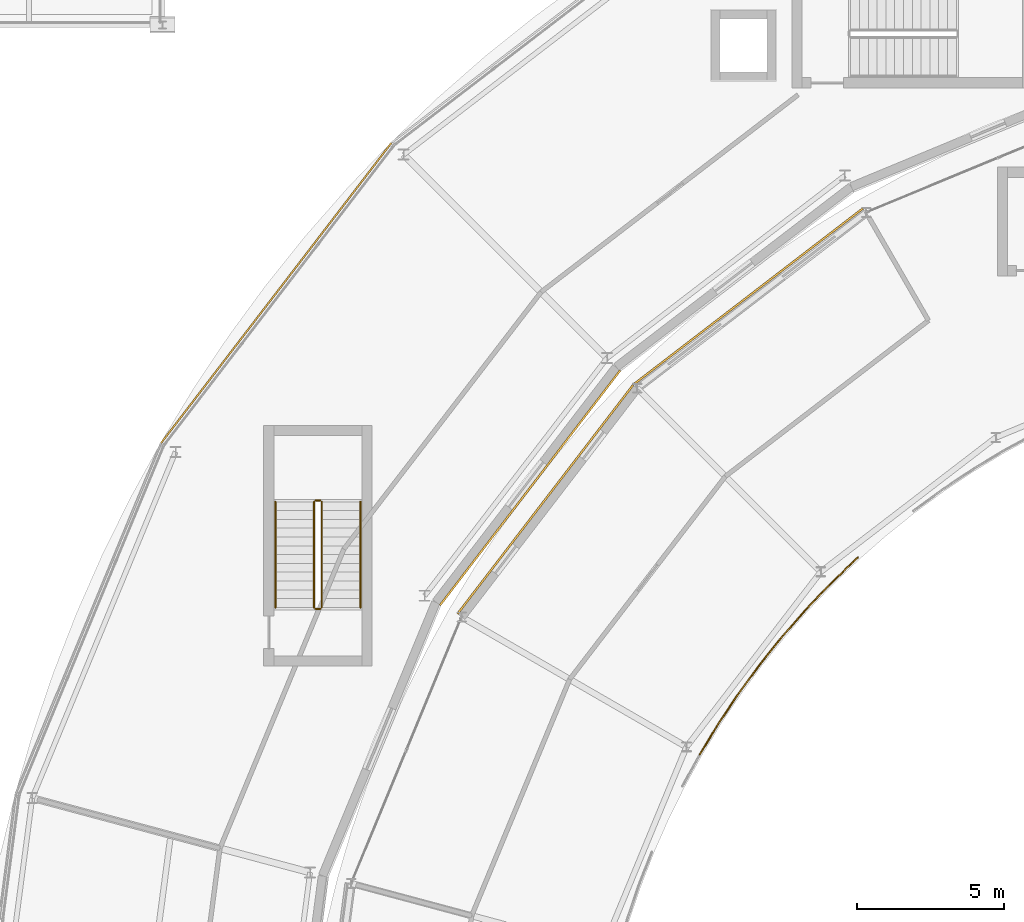
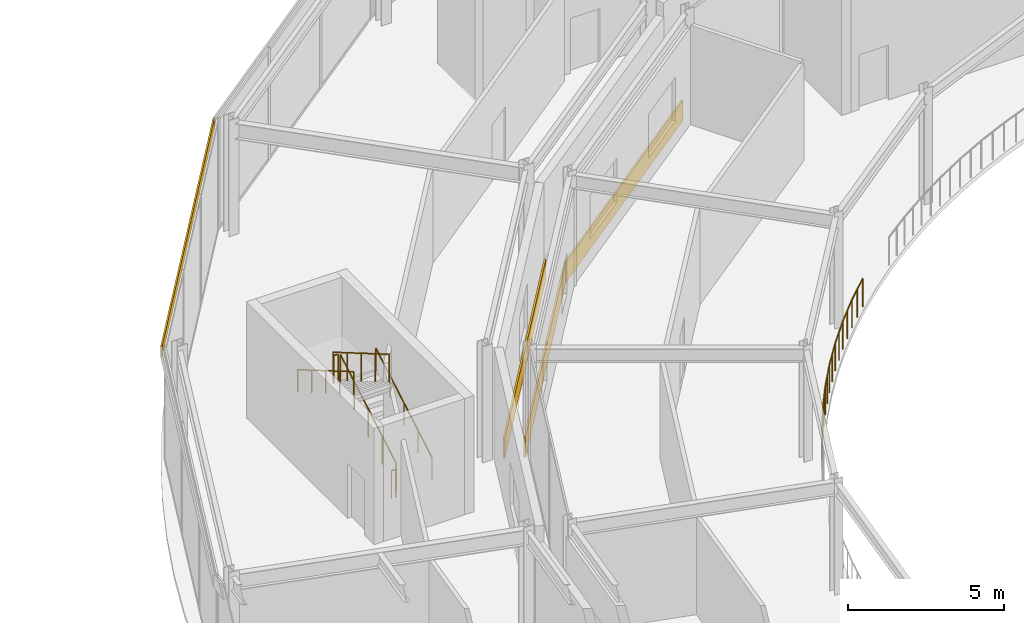
# One storey, part 144 of 157: 13 railings, 4 coverings.
"""IFC4 building model written with IfcOpenShell, lengths in metres."""

from ifc_helpers import new_model, si_unit, direction, frame, origin, origin_2d, place, context, subcontext, project, spatial, rectangle, circle, extrude, material, layer, layer_set, type_object, element, save


model = new_model("IFC4")

# Units and contexts
model_context = context("Model", 3, precision=1e-05, world=origin(), true_north=direction((0.0, 1.0)))
body_context = subcontext(model_context, "Body", "Model", "MODEL_VIEW")
ifc_project = project(units=[si_unit("LENGTHUNIT", "METRE"), si_unit("AREAUNIT", "SQUARE_METRE"), si_unit("VOLUMEUNIT", "CUBIC_METRE"), si_unit("PLANEANGLEUNIT", "RADIAN"), si_unit("MASSUNIT", "GRAM", prefix="KILO")], contexts=[model_context])

# Site, building, storey
site_placement = place(None, origin())
site = spatial("IfcSite", under=ifc_project, at=site_placement, CompositionType="ELEMENT")
building_placement = place(site_placement, origin())
building = spatial("IfcBuilding", under=site, at=building_placement, Name="Almandine Court Research Institute", CompositionType="ELEMENT")
storey_placement = place(building_placement, frame((0.0, 0.0, 5.25)))
storey = spatial("IfcBuildingStorey", under=building, at=storey_placement, Name="L01", CompositionType="ELEMENT", Elevation=5.25)

# Coverings
ifc_material_1 = material(Name="Honed Andean Red-Buff Sandstone Cladding", Category="masonry")
ifc_layer_1 = layer(ifc_material_1, 0.06494140625)
ifc_layer_set_1 = layer_set([ifc_layer_1], Name="Honed Andean Red-Buff Sandstone Cladding")
covering_type_1 = type_object("IfcCoveringType", Name="Cov-CLAD-SAND", PredefinedType="CLADDING", material=ifc_layer_set_1)
covering_1_placement = place(storey_placement, frame((56.72998046875, 79.22705078125, 0.02001953125), z_axis=(0.0, 0.0, 1.0), x_axis=(-0.608761429009, -0.793353340291, 0.0)))
element("IfcCovering", 1, at=covering_1_placement, inside=storey, type_object=covering_type_1, Name="L01 Facade Spandrel Cladding Band 321", PredefinedType="CLADDING", context=body_context, shape_type="SweptSolid", body=[
    extrude(rectangle(XDim=10.080078125, YDim=0.06494140625, at=origin_2d()), origin(), (0.0, 0.0, 1.0), 0.800048828125),
])
for number, where, z_axis, x_axis, name in (
    (2, (64.169921875, 85.7529296875, 0.02001953125), (0.0, 0.0, 1.0), (0.793353340291, 0.608761429009, 0.0), "L01 Facade Spandrel Cladding Band 448"),
    (3, (57.2470703125, 78.830078125, 0.02001953125), (0.0, 0.0, 1.0), (0.608761429009, 0.793353340291, 0.0), "L01 Facade Spandrel Cladding Band 449"),
):
    element("IfcCovering", number, at=place(storey_placement, frame(where, z_axis=z_axis, x_axis=x_axis)), inside=storey, type_object=covering_type_1, Name=name, PredefinedType="CLADDING", context=body_context, shape_type="SweptSolid", body=[
        extrude(rectangle(XDim=9.820068359375, YDim=0.06494140625, at=origin_2d()), origin(), (0.0, 0.0, 1.0), 0.800048828125),
    ])
ifc_material_2 = material(Name="Extruded Cream-Ochre Seismic Terracotta Spandrel", Category="masonry")
ifc_layer_2 = layer(ifc_material_2, 0.054931640625)
ifc_layer_set_2 = layer_set([ifc_layer_2], Name="Extruded Cream-Ochre Seismic Terracotta Spandrel")
covering_type_2 = type_object("IfcCoveringType", Name="Cov-CLAD-TERR", PredefinedType="CLADDING", material=ifc_layer_set_2)
covering_2_placement = place(storey_placement, frame((48.080078125, 85.864990234375, 3.97998046875), z_axis=(0.0, 0.0, 1.0), x_axis=(0.608761429009, 0.793353340291, 0.0)))
element("IfcCovering", 4, at=covering_2_placement, inside=storey, type_object=covering_type_2, Name="L01 Drum Stacked Terracotta Ring Band 09", PredefinedType="CLADDING", context=body_context, shape_type="SweptSolid", body=[
    extrude(rectangle(XDim=12.8779296875, YDim=0.054931640625, at=origin_2d()), origin(), (0.0, 0.0, 1.0), 0.419921875),
])

# Railings
ifc_material_3 = material(Name="Powder-Coated Steel Stair and Atrium Balustrade", Category="steel")
railing_type_1 = type_object("IfcRailingType", Name="Rail-GUARD-INT", PredefinedType="BALUSTRADE", material=ifc_material_3)
railing_1_placement = place(storey_placement, frame((49.6298828125, 75.14990234375, 0.175048828125)))
element("IfcRailing", 5, at=railing_1_placement, inside=storey, type_object=railing_type_1, Name="L01 ST-15 stair guard 1", PredefinedType="BALUSTRADE", context=body_context, shape_type="SweptSolid", body=[
    extrude(circle(Radius=0.02392578125, at=origin_2d()), frame((0.0, 0.0, 1.09619140625), z_axis=(0.0, 0.863800146258, 0.503834603144), x_axis=(-1.0, 0.0, 0.0)), (0.0, 0.0, 1.0), 4.167724609375),
    extrude(circle(Radius=0.02099609375, at=origin_2d()), origin(), (0.0, 0.0, 1.0), 1.072021484375),
    extrude(circle(Radius=0.02099609375, at=origin_2d()), frame((0.0, 0.89990234375, 0.52490234375)), (0.0, 0.0, 1.0), 1.072021484375),
    extrude(circle(Radius=0.02099609375, at=origin_2d()), frame((0.0, 1.800048828125, 1.0498046875)), (0.0, 0.0, 1.0), 1.072021484375),
    extrude(circle(Radius=0.02099609375, at=origin_2d()), frame((0.0, 2.7001953125, 1.574951171875)), (0.0, 0.0, 1.0), 1.072021484375),
    extrude(circle(Radius=0.02099609375, at=origin_2d()), frame((0.0, 3.60009765625, 2.099853515625)), (0.0, 0.0, 1.0), 1.072021484375),
])
railing_2_placement = place(storey_placement, frame((49.580078125, 78.800048828125, 2.27490234375)))
element("IfcRailing", 6, at=railing_2_placement, inside=storey, type_object=railing_type_1, Name="L01 ST-15 stair guard 2", PredefinedType="BALUSTRADE", context=body_context, shape_type="SweptSolid", body=[
    extrude(circle(Radius=0.02392578125, at=origin_2d()), frame((0.0, 0.0, 1.09619140625), z_axis=(-1.0, 0.0, 0.0), x_axis=(0.0, -1.0, 0.0)), (0.0, 0.0, 1.0), 0.16015625),
    extrude(circle(Radius=0.02099609375, at=origin_2d()), origin(), (0.0, 0.0, 1.0), 1.072021484375),
    extrude(circle(Radius=0.02099609375, at=origin_2d()), frame((-0.16015625, 0.0, 0.0)), (0.0, 0.0, 1.0), 1.072021484375),
])
railing_3_placement = place(storey_placement, frame((49.3701171875, 78.75, 2.449951171875)))
element("IfcRailing", 7, at=railing_3_placement, inside=storey, type_object=railing_type_1, Name="L01 ST-15 stair guard 3", PredefinedType="BALUSTRADE", context=body_context, shape_type="SweptSolid", body=[
    extrude(circle(Radius=0.02392578125, at=origin_2d()), frame((0.0, 0.0, 1.09619140625), z_axis=(0.0, -0.863774651768, 0.503878309678), x_axis=(1.0, 0.0, 0.0)), (0.0, 0.0, 1.0), 4.16796875),
    extrude(circle(Radius=0.02099609375, at=origin_2d()), origin(), (0.0, 0.0, 1.0), 1.072021484375),
    extrude(circle(Radius=0.02099609375, at=origin_2d()), frame((0.0, -0.89990234375, 0.52490234375)), (0.0, 0.0, 1.0), 1.072021484375),
    extrude(circle(Radius=0.02099609375, at=origin_2d()), frame((0.0, -1.800048828125, 1.050048828125)), (0.0, 0.0, 1.0), 1.072021484375),
    extrude(circle(Radius=0.02099609375, at=origin_2d()), frame((0.0, -2.7001953125, 1.5751953125)), (0.0, 0.0, 1.0), 1.072021484375),
    extrude(circle(Radius=0.02099609375, at=origin_2d()), frame((0.0, -3.60009765625, 2.10009765625)), (0.0, 0.0, 1.0), 1.072021484375),
])
railing_4_placement = place(storey_placement, frame((49.580078125, 75.10009765625, 0.0)))
element("IfcRailing", 8, at=railing_4_placement, inside=storey, type_object=railing_type_1, Name="L01 ST-15 stair guard 4", PredefinedType="BALUSTRADE", context=body_context, shape_type="SweptSolid", body=[
    extrude(circle(Radius=0.02392578125, at=origin_2d()), frame((0.0, 0.0, 1.09619140625), z_axis=(-1.0, 0.0, 0.0), x_axis=(0.0, -1.0, 0.0)), (0.0, 0.0, 1.0), 0.16015625),
    extrude(circle(Radius=0.02099609375, at=origin_2d()), origin(), (0.0, 0.0, 1.0), 1.072021484375),
    extrude(circle(Radius=0.02099609375, at=origin_2d()), frame((-0.16015625, 0.0, 0.0)), (0.0, 0.0, 1.0), 1.072021484375),
])
railing_5_placement = place(storey_placement, frame((67.89404296875, 76.85009765625, 0.0)))
element("IfcRailing", 9, at=railing_5_placement, inside=storey, type_object=railing_type_1, Name="L01 Atrium Gallery Void Balustrade 066", PredefinedType="BALUSTRADE", context=body_context, shape_type="SweptSolid", body=[
    extrude(circle(Radius=0.02392578125, at=origin_2d()), frame((0.0, 0.0, 1.09619140625), z_axis=(-0.7223753171, -0.691501193958, 0.0), x_axis=(0.691501193958, -0.7223753171, 0.0)), (0.0, 0.0, 1.0), 1.233642578125),
    extrude(circle(Radius=0.02099609375, at=origin_2d()), origin(), (0.0, 0.0, 1.0), 1.072021484375),
    extrude(circle(Radius=0.02099609375, at=origin_2d()), frame((-0.445556640625, -0.426513671875, 0.0)), (0.0, 0.0, 1.0), 1.072021484375),
    extrude(circle(Radius=0.02099609375, at=origin_2d()), frame((-0.89111328125, -0.85302734375, 0.0)), (0.0, 0.0, 1.0), 1.072021484375),
])
railing_6_placement = place(storey_placement, frame((67.0029296875, 75.9970703125, 0.0)))
element("IfcRailing", 10, at=railing_6_placement, inside=storey, type_object=railing_type_1, Name="L01 Atrium Gallery Void Balustrade 067", PredefinedType="BALUSTRADE", context=body_context, shape_type="SweptSolid", body=[
    extrude(circle(Radius=0.02392578125, at=origin_2d()), frame((0.0, 0.0, 1.09619140625), z_axis=(-0.691501193958, -0.7223753171, 0.0), x_axis=(0.7223753171, -0.691501193958, 0.0)), (0.0, 0.0, 1.0), 1.233642578125),
    extrude(circle(Radius=0.02099609375, at=origin_2d()), origin(), (0.0, 0.0, 1.0), 1.072021484375),
    extrude(circle(Radius=0.02099609375, at=origin_2d()), frame((-0.426513671875, -0.445556640625, 0.0)), (0.0, 0.0, 1.0), 1.072021484375),
    extrude(circle(Radius=0.02099609375, at=origin_2d()), frame((-0.85302734375, -0.89111328125, 0.0)), (0.0, 0.0, 1.0), 1.072021484375),
])
railing_7_placement = place(storey_placement, frame((66.14990234375, 75.10595703125, 0.0)))
element("IfcRailing", 11, at=railing_7_placement, inside=storey, type_object=railing_type_1, Name="L01 Atrium Gallery Void Balustrade 068", PredefinedType="BALUSTRADE", context=body_context, shape_type="SweptSolid", body=[
    extrude(circle(Radius=0.02392578125, at=origin_2d()), frame((0.0, 0.0, 1.09619140625), z_axis=(-0.659414286109, -0.751779754499, 0.0), x_axis=(0.751779754499, -0.659414286109, 0.0)), (0.0, 0.0, 1.0), 1.234375),
    extrude(circle(Radius=0.02099609375, at=origin_2d()), origin(), (0.0, 0.0, 1.0), 1.072021484375),
    extrude(circle(Radius=0.02099609375, at=origin_2d()), frame((-0.406982421875, -0.4638671875, 0.0)), (0.0, 0.0, 1.0), 1.072021484375),
    extrude(circle(Radius=0.02099609375, at=origin_2d()), frame((-0.81396484375, -0.927978515625, 0.0)), (0.0, 0.0, 1.0), 1.072021484375),
])
railing_8_placement = place(storey_placement, frame((65.3359375, 74.177978515625, 0.0)))
element("IfcRailing", 12, at=railing_8_placement, inside=storey, type_object=railing_type_1, Name="L01 Atrium Gallery Void Balustrade 069", PredefinedType="BALUSTRADE", context=body_context, shape_type="SweptSolid", body=[
    extrude(circle(Radius=0.02392578125, at=origin_2d()), frame((0.0, 0.0, 1.09619140625), z_axis=(-0.625901281456, -0.779902292516, 0.0), x_axis=(0.779902292516, -0.625901281456, 0.0)), (0.0, 0.0, 1.0), 1.2333984375),
    extrude(circle(Radius=0.02099609375, at=origin_2d()), origin(), (0.0, 0.0, 1.0), 1.072021484375),
    extrude(circle(Radius=0.02099609375, at=origin_2d()), frame((-0.385986328125, -0.48095703125, 0.0)), (0.0, 0.0, 1.0), 1.072021484375),
    extrude(circle(Radius=0.02099609375, at=origin_2d()), frame((-0.77197265625, -0.9619140625, 0.0)), (0.0, 0.0, 1.0), 1.072021484375),
])
railing_9_placement = place(storey_placement, frame((64.56396484375, 73.216064453125, 0.0)))
element("IfcRailing", 13, at=railing_9_placement, inside=storey, type_object=railing_type_1, Name="L01 Atrium Gallery Void Balustrade 070", PredefinedType="BALUSTRADE", context=body_context, shape_type="SweptSolid", body=[
    extrude(circle(Radius=0.02392578125, at=origin_2d()), frame((0.0, 0.0, 1.09619140625), z_axis=(-0.591483721625, -0.80631693958, 0.0), x_axis=(0.80631693958, -0.591483721625, 0.0)), (0.0, 0.0, 1.0), 1.234130859375),
    extrude(circle(Radius=0.02099609375, at=origin_2d()), origin(), (0.0, 0.0, 1.0), 1.072021484375),
    extrude(circle(Radius=0.02099609375, at=origin_2d()), frame((-0.364990234375, -0.49755859375, 0.0)), (0.0, 0.0, 1.0), 1.072021484375),
    extrude(circle(Radius=0.02099609375, at=origin_2d()), frame((-0.72998046875, -0.9951171875, 0.0)), (0.0, 0.0, 1.0), 1.072021484375),
])
railing_10_placement = place(storey_placement, frame((63.833984375, 72.220947265625, 0.0)))
element("IfcRailing", 14, at=railing_10_placement, inside=storey, type_object=railing_type_1, Name="L01 Atrium Gallery Void Balustrade 071", PredefinedType="BALUSTRADE", context=body_context, shape_type="SweptSolid", body=[
    extrude(circle(Radius=0.02392578125, at=origin_2d()), frame((0.0, 0.0, 1.09619140625), z_axis=(-0.555339438556, -0.831623777909, 0.0), x_axis=(0.831623777909, -0.555339438556, 0.0)), (0.0, 0.0, 1.0), 1.233642578125),
    extrude(circle(Radius=0.02099609375, at=origin_2d()), origin(), (0.0, 0.0, 1.0), 1.072021484375),
    extrude(circle(Radius=0.02099609375, at=origin_2d()), frame((-0.342529296875, -0.512939453125, 0.0)), (0.0, 0.0, 1.0), 1.072021484375),
    extrude(circle(Radius=0.02099609375, at=origin_2d()), frame((-0.68505859375, -1.02587890625, 0.0)), (0.0, 0.0, 1.0), 1.072021484375),
])
railing_11_placement = place(storey_placement, frame((63.14892578125, 71.195068359375, 0.0)))
element("IfcRailing", 15, at=railing_11_placement, inside=storey, type_object=railing_type_1, Name="L01 Atrium Gallery Void Balustrade 072", PredefinedType="BALUSTRADE", context=body_context, shape_type="SweptSolid", body=[
    extrude(circle(Radius=0.02392578125, at=origin_2d()), frame((0.0, 0.0, 1.09619140625), z_axis=(-0.518534080516, -0.855056961461, 0.0), x_axis=(0.855056961461, -0.518534080516, 0.0)), (0.0, 0.0, 1.0), 1.234130859375),
    extrude(circle(Radius=0.02099609375, at=origin_2d()), origin(), (0.0, 0.0, 1.0), 1.072021484375),
    extrude(circle(Radius=0.02099609375, at=origin_2d()), frame((-0.31982421875, -0.527587890625, 0.0)), (0.0, 0.0, 1.0), 1.072021484375),
    extrude(circle(Radius=0.02099609375, at=origin_2d()), frame((-0.639892578125, -1.05517578125, 0.0)), (0.0, 0.0, 1.0), 1.072021484375),
])
ifc_material_4 = material(Name="Brushed Stainless Steel Wall Handrail", Category="steel")
railing_type_2 = type_object("IfcRailingType", Name="Rail-HAND-INT", PredefinedType="HANDRAIL", material=ifc_material_4)
railing_12_placement = place(storey_placement, frame((50.949951171875, 75.14990234375, 0.175048828125)))
element("IfcRailing", 16, at=railing_12_placement, inside=storey, type_object=railing_type_2, Name="L01 ST-15 stair handrail 1", PredefinedType="HANDRAIL", context=body_context, shape_type="SweptSolid", body=[
    extrude(circle(Radius=0.02392578125, at=origin_2d()), frame((0.0, 0.0, 0.8759765625), z_axis=(0.0, 0.863800146258, 0.503834603144), x_axis=(-1.0, 0.0, 0.0)), (0.0, 0.0, 1.0), 4.167724609375),
    extrude(circle(Radius=0.02099609375, at=origin_2d()), origin(), (0.0, 0.0, 1.0), 0.851806640625),
    extrude(circle(Radius=0.02099609375, at=origin_2d()), frame((0.0, 0.89990234375, 0.52490234375)), (0.0, 0.0, 1.0), 0.851806640625),
    extrude(circle(Radius=0.02099609375, at=origin_2d()), frame((0.0, 1.800048828125, 1.0498046875)), (0.0, 0.0, 1.0), 0.851806640625),
    extrude(circle(Radius=0.02099609375, at=origin_2d()), frame((0.0, 2.7001953125, 1.574951171875)), (0.0, 0.0, 1.0), 0.851806640625),
    extrude(circle(Radius=0.02099609375, at=origin_2d()), frame((0.0, 3.60009765625, 2.099853515625)), (0.0, 0.0, 1.0), 0.851806640625),
])
railing_13_placement = place(storey_placement, frame((48.050048828125, 78.75, 2.449951171875)))
element("IfcRailing", 17, at=railing_13_placement, inside=storey, type_object=railing_type_2, Name="L01 ST-15 stair handrail 2", PredefinedType="HANDRAIL", context=body_context, shape_type="SweptSolid", body=[
    extrude(circle(Radius=0.02392578125, at=origin_2d()), frame((0.0, 0.0, 0.8759765625), z_axis=(0.0, -0.863774651768, 0.503878309678), x_axis=(1.0, 0.0, 0.0)), (0.0, 0.0, 1.0), 4.16796875),
    extrude(circle(Radius=0.02099609375, at=origin_2d()), origin(), (0.0, 0.0, 1.0), 0.851806640625),
    extrude(circle(Radius=0.02099609375, at=origin_2d()), frame((0.0, -0.89990234375, 0.52490234375)), (0.0, 0.0, 1.0), 0.851806640625),
    extrude(circle(Radius=0.02099609375, at=origin_2d()), frame((0.0, -1.800048828125, 1.050048828125)), (0.0, 0.0, 1.0), 0.851806640625),
    extrude(circle(Radius=0.02099609375, at=origin_2d()), frame((0.0, -2.7001953125, 1.5751953125)), (0.0, 0.0, 1.0), 0.851806640625),
    extrude(circle(Radius=0.02099609375, at=origin_2d()), frame((0.0, -3.60009765625, 2.10009765625)), (0.0, 0.0, 1.0), 0.851806640625),
])

save(model, "model.ifc")
